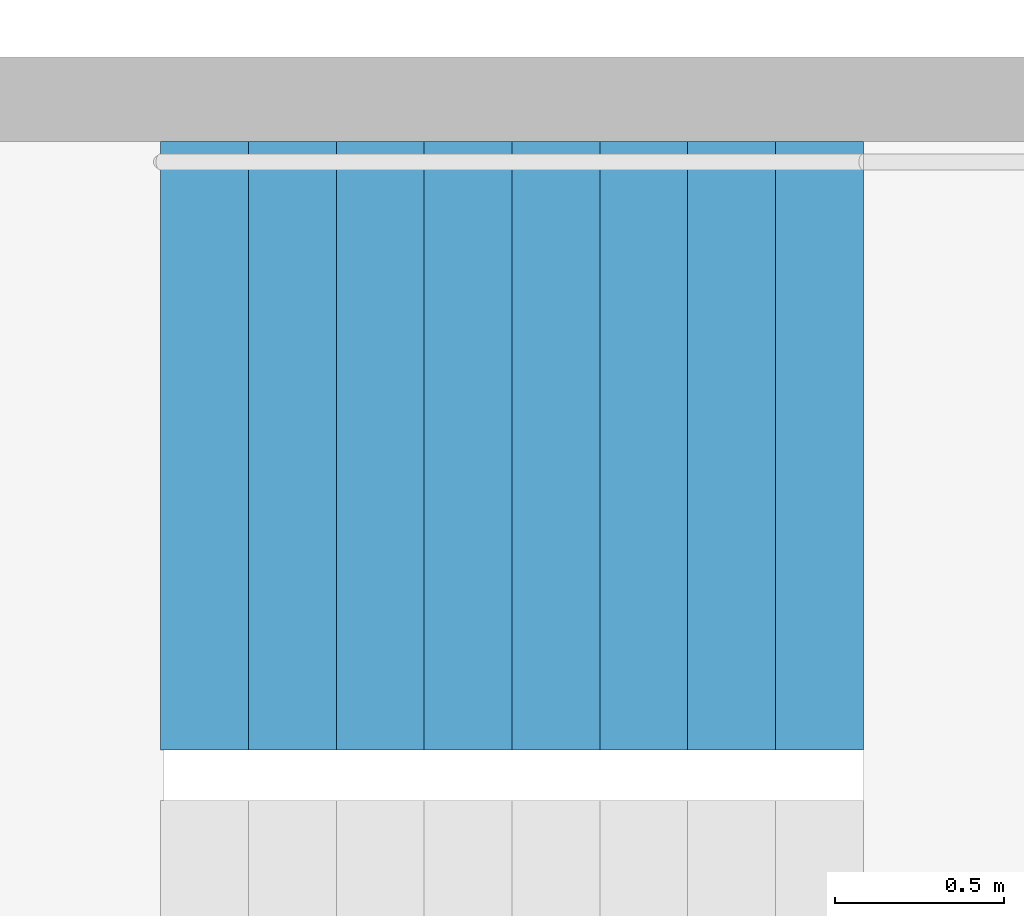
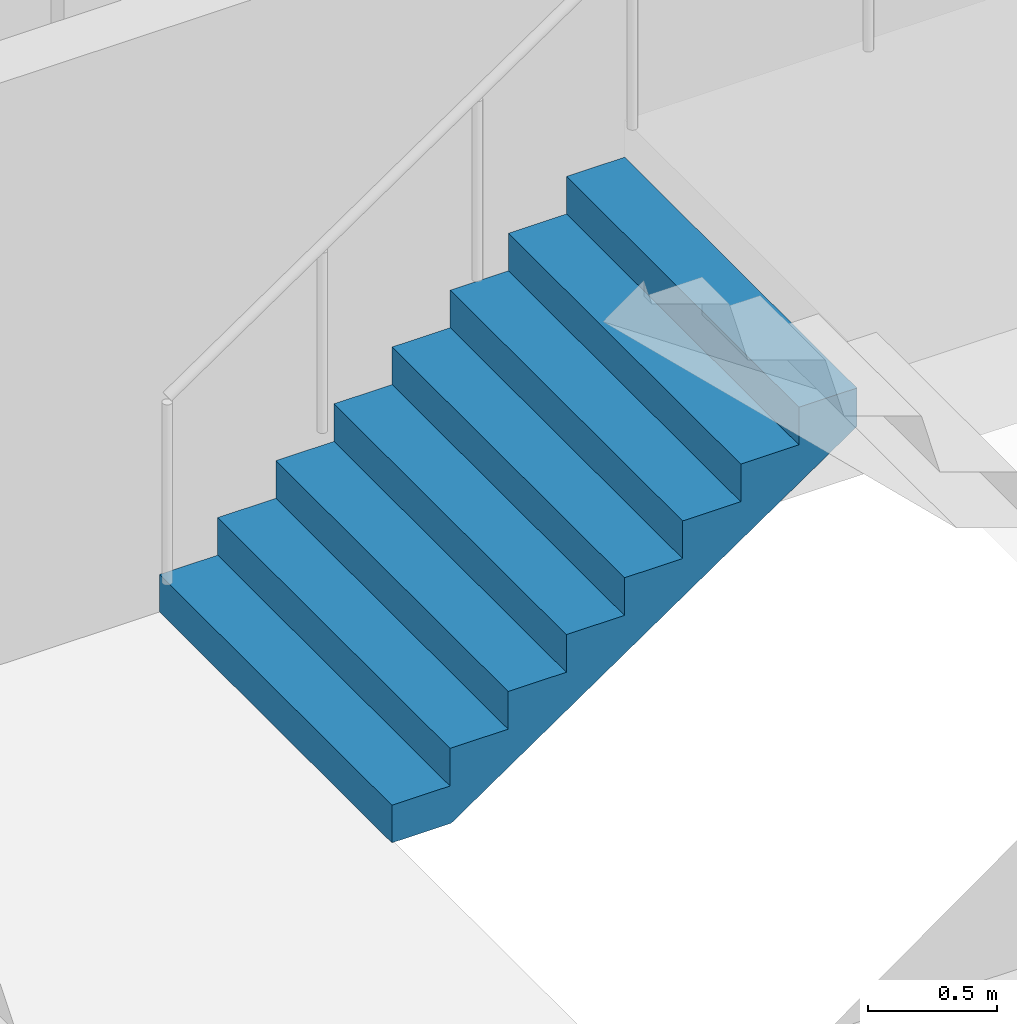
# One storey, part 23 of 26: 1 stair flight, 1 element without a shape of its own.
"""IFC4 building model written with IfcOpenShell, lengths in metres."""

from ifc_helpers import new_model, si_unit, direction, frame, origin, place, context, subcontext, project, spatial, triangles, material, type_object, element, aggregate, save


model = new_model("IFC4")

# Units and contexts
model_context = context("Model", 3, precision=1e-05, world=origin(), true_north=direction((0.0, 1.0)))
body_context = subcontext(model_context, "Body", "Model", "MODEL_VIEW")
ifc_project = project(units=[si_unit("LENGTHUNIT", "METRE"), si_unit("AREAUNIT", "SQUARE_METRE"), si_unit("VOLUMEUNIT", "CUBIC_METRE"), si_unit("PLANEANGLEUNIT", "RADIAN"), si_unit("MASSUNIT", "GRAM", prefix="KILO")], contexts=[model_context])

# Site, building, storey
site_placement = place(None, origin())
site = spatial("IfcSite", under=ifc_project, at=site_placement, CompositionType="ELEMENT")
building_placement = place(site_placement, origin())
building = spatial("IfcBuilding", under=site, at=building_placement, Name="Hakoniwa Tower and Hamabe Station Hall", CompositionType="ELEMENT")
storey_placement = place(building_placement, frame((0.0, 0.0, 199.39990234375)))
storey = spatial("IfcBuildingStorey", under=building, at=storey_placement, Name="L56", CompositionType="ELEMENT", Elevation=199.39990234375)

# Stair, stair flight
ifc_material_1 = material(Name="Concrete C40", Category="concrete")
stair_type = type_object("IfcStairType", Name="ESCAPE STAIR 1800", PredefinedType="HALF_TURN_STAIR", material=ifc_material_1)
stair_placement = place(storey_placement, origin())
stair = element("IfcStair", 1, at=stair_placement, inside=storey, type_object=stair_type, Name="Escape stair ST-4 L56", PredefinedType="HALF_TURN_STAIR")
ifc_material_2 = material(Name="Concrete C40", Category="concrete")
stair_flight_type = type_object("IfcStairFlightType", Name="STAIR FLIGHT 1800", PredefinedType="STRAIGHT", material=ifc_material_2)
stair_flight_placement = place(storey_placement, frame((23.39990234375, -4.64990234375, 0.0), z_axis=(0.0, 0.0, 1.0), x_axis=(1.0, 0.0, 0.0)))
stair_flight = element("IfcStairFlight", 2, at=stair_flight_placement, type_object=stair_flight_type, Name="ST-4 flight 1", NumberOfRisers=9, NumberOfTreads=8, PredefinedType="STRAIGHT", RiserHeight=0.177777778, TreadLength=0.26, context=body_context, shape_type="Tessellation", body=[
    triangles([(0.0, 0.89990234375, 0.0), (0.260009765625, 0.89990234375, 0.0), (0.265625, 0.89990234375, 0.0), (0.52001953125, 0.89990234375, 0.174072265625), (0.780029296875, 0.89990234375, 0.351806640625), (1.0400390625, 0.89990234375, 0.529541015625), (1.300048828125, 0.89990234375, 0.707275390625), (1.56005859375, 0.89990234375, 0.885009765625), (1.820068359375, 0.89990234375, 1.062744140625), (2.080078125, 0.89990234375, 1.24072265625), (2.080078125, 0.89990234375, 1.422119140625), (1.820068359375, 0.89990234375, 1.422119140625), (1.820068359375, 0.89990234375, 1.244384765625), (1.56005859375, 0.89990234375, 1.244384765625), (1.56005859375, 0.89990234375, 1.066650390625), (1.300048828125, 0.89990234375, 1.066650390625), (1.300048828125, 0.89990234375, 0.888916015625), (1.0400390625, 0.89990234375, 0.888916015625), (1.0400390625, 0.89990234375, 0.711181640625), (0.780029296875, 0.89990234375, 0.711181640625), (0.780029296875, 0.89990234375, 0.533447265625), (0.52001953125, 0.89990234375, 0.533447265625), (0.52001953125, 0.89990234375, 0.35546875), (0.265625, 0.89990234375, 0.35546875), (0.260009765625, 0.89990234375, 0.35546875), (0.260009765625, 0.89990234375, 0.177734375), (0.0, 0.89990234375, 0.177734375), (0.0, 0.06005859375, 0.0), (0.260009765625, 0.06005859375, 0.0), (0.265625, 0.06005859375, 0.0), (0.52001953125, 0.06005859375, 0.174072265625), (0.780029296875, 0.06005859375, 0.351806640625), (1.0400390625, 0.06005859375, 0.529541015625), (1.300048828125, 0.06005859375, 0.707275390625), (1.56005859375, 0.06005859375, 0.885009765625), (1.820068359375, 0.06005859375, 1.062744140625), (2.080078125, 0.06005859375, 1.24072265625), (2.080078125, 0.06005859375, 1.422119140625), (1.820068359375, 0.06005859375, 1.422119140625), (1.820068359375, 0.06005859375, 1.244384765625), (1.56005859375, 0.06005859375, 1.244384765625), (1.56005859375, 0.06005859375, 1.066650390625), (1.300048828125, 0.06005859375, 1.066650390625), (1.300048828125, 0.06005859375, 0.888916015625), (1.0400390625, 0.06005859375, 0.888916015625), (1.0400390625, 0.06005859375, 0.711181640625), (0.780029296875, 0.06005859375, 0.711181640625), (0.780029296875, 0.06005859375, 0.533447265625), (0.52001953125, 0.06005859375, 0.533447265625), (0.52001953125, 0.06005859375, 0.35546875), (0.265625, 0.06005859375, 0.35546875), (0.260009765625, 0.06005859375, 0.35546875), (0.260009765625, 0.06005859375, 0.177734375), (0.0, 0.06005859375, 0.177734375), (0.0, 0.04296875, 0.0), (0.260009765625, 0.04296875, 0.0), (0.265625, 0.04296875, 0.0), (0.52001953125, 0.04296875, 0.174072265625), (0.780029296875, 0.04296875, 0.351806640625), (1.0400390625, 0.04296875, 0.529541015625), (1.300048828125, 0.04296875, 0.707275390625), (1.56005859375, 0.04296875, 0.885009765625), (1.820068359375, 0.04296875, 1.062744140625), (2.080078125, 0.04296875, 1.24072265625), (2.080078125, 0.04296875, 1.422119140625), (1.820068359375, 0.04296875, 1.422119140625), (1.820068359375, 0.04296875, 1.244384765625), (1.56005859375, 0.04296875, 1.244384765625), (1.56005859375, 0.04296875, 1.066650390625), (1.300048828125, 0.04296875, 1.066650390625), (1.300048828125, 0.04296875, 0.888916015625), (1.0400390625, 0.04296875, 0.888916015625), (1.0400390625, 0.04296875, 0.711181640625), (0.780029296875, 0.04296875, 0.711181640625), (0.780029296875, 0.04296875, 0.533447265625), (0.52001953125, 0.04296875, 0.533447265625), (0.52001953125, 0.04296875, 0.35546875), (0.265625, 0.04296875, 0.35546875), (0.260009765625, 0.04296875, 0.35546875), (0.260009765625, 0.04296875, 0.177734375), (0.0, 0.04296875, 0.177734375), (0.0, 0.025634765625, 0.0), (0.260009765625, 0.025634765625, 0.0), (0.265625, 0.025634765625, 0.0), (0.52001953125, 0.025634765625, 0.174072265625), (0.780029296875, 0.025634765625, 0.351806640625), (1.0400390625, 0.025634765625, 0.529541015625), (1.300048828125, 0.025634765625, 0.707275390625), (1.56005859375, 0.025634765625, 0.885009765625), (1.820068359375, 0.025634765625, 1.062744140625), (2.080078125, 0.025634765625, 1.24072265625), (2.080078125, 0.025634765625, 1.422119140625), (1.820068359375, 0.025634765625, 1.422119140625), (1.820068359375, 0.025634765625, 1.244384765625), (1.56005859375, 0.025634765625, 1.244384765625), (1.56005859375, 0.025634765625, 1.066650390625), (1.300048828125, 0.025634765625, 1.066650390625), (1.300048828125, 0.025634765625, 0.888916015625), (1.0400390625, 0.025634765625, 0.888916015625), (1.0400390625, 0.025634765625, 0.711181640625), (0.780029296875, 0.025634765625, 0.711181640625), (0.780029296875, 0.025634765625, 0.533447265625), (0.52001953125, 0.025634765625, 0.533447265625), (0.52001953125, 0.025634765625, 0.35546875), (0.265625, 0.025634765625, 0.35546875), (0.260009765625, 0.025634765625, 0.35546875), (0.260009765625, 0.025634765625, 0.177734375), (0.0, 0.025634765625, 0.177734375), (0.0, 0.008544921875, 0.0), (0.260009765625, 0.008544921875, 0.0), (0.265625, 0.008544921875, 0.0), (0.52001953125, 0.008544921875, 0.174072265625), (0.780029296875, 0.008544921875, 0.351806640625), (1.0400390625, 0.008544921875, 0.529541015625), (1.300048828125, 0.008544921875, 0.707275390625), (1.56005859375, 0.008544921875, 0.885009765625), (1.820068359375, 0.008544921875, 1.062744140625), (2.080078125, 0.008544921875, 1.24072265625), (2.080078125, 0.008544921875, 1.422119140625), (1.820068359375, 0.008544921875, 1.422119140625), (1.820068359375, 0.008544921875, 1.244384765625), (1.56005859375, 0.008544921875, 1.244384765625), (1.56005859375, 0.008544921875, 1.066650390625), (1.300048828125, 0.008544921875, 1.066650390625), (1.300048828125, 0.008544921875, 0.888916015625), (1.0400390625, 0.008544921875, 0.888916015625), (1.0400390625, 0.008544921875, 0.711181640625), (0.780029296875, 0.008544921875, 0.711181640625), (0.780029296875, 0.008544921875, 0.533447265625), (0.52001953125, 0.008544921875, 0.533447265625), (0.52001953125, 0.008544921875, 0.35546875), (0.265625, 0.008544921875, 0.35546875), (0.260009765625, 0.008544921875, 0.35546875), (0.260009765625, 0.008544921875, 0.177734375), (0.0, 0.008544921875, 0.177734375), (0.0, -0.008544921875, 0.0), (0.260009765625, -0.008544921875, 0.0), (0.265625, -0.008544921875, 0.0), (0.52001953125, -0.008544921875, 0.174072265625), (0.780029296875, -0.008544921875, 0.351806640625), (1.0400390625, -0.008544921875, 0.529541015625), (1.300048828125, -0.008544921875, 0.707275390625), (1.56005859375, -0.008544921875, 0.885009765625), (1.820068359375, -0.008544921875, 1.062744140625), (2.080078125, -0.008544921875, 1.24072265625), (2.080078125, -0.008544921875, 1.422119140625), (1.820068359375, -0.008544921875, 1.422119140625), (1.820068359375, -0.008544921875, 1.244384765625), (1.56005859375, -0.008544921875, 1.244384765625), (1.56005859375, -0.008544921875, 1.066650390625), (1.300048828125, -0.008544921875, 1.066650390625), (1.300048828125, -0.008544921875, 0.888916015625), (1.0400390625, -0.008544921875, 0.888916015625), (1.0400390625, -0.008544921875, 0.711181640625), (0.780029296875, -0.008544921875, 0.711181640625), (0.780029296875, -0.008544921875, 0.533447265625), (0.52001953125, -0.008544921875, 0.533447265625), (0.52001953125, -0.008544921875, 0.35546875), (0.265625, -0.008544921875, 0.35546875), (0.260009765625, -0.008544921875, 0.35546875), (0.260009765625, -0.008544921875, 0.177734375), (0.0, -0.008544921875, 0.177734375), (0.0, -0.025634765625, 0.0), (0.260009765625, -0.025634765625, 0.0), (0.265625, -0.025634765625, 0.0), (0.52001953125, -0.025634765625, 0.174072265625), (0.780029296875, -0.025634765625, 0.351806640625), (1.0400390625, -0.025634765625, 0.529541015625), (1.300048828125, -0.025634765625, 0.707275390625), (1.56005859375, -0.025634765625, 0.885009765625), (1.820068359375, -0.025634765625, 1.062744140625), (2.080078125, -0.025634765625, 1.24072265625), (2.080078125, -0.025634765625, 1.422119140625), (1.820068359375, -0.025634765625, 1.422119140625), (1.820068359375, -0.025634765625, 1.244384765625), (1.56005859375, -0.025634765625, 1.244384765625), (1.56005859375, -0.025634765625, 1.066650390625), (1.300048828125, -0.025634765625, 1.066650390625), (1.300048828125, -0.025634765625, 0.888916015625), (1.0400390625, -0.025634765625, 0.888916015625), (1.0400390625, -0.025634765625, 0.711181640625), (0.780029296875, -0.025634765625, 0.711181640625), (0.780029296875, -0.025634765625, 0.533447265625), (0.52001953125, -0.025634765625, 0.533447265625), (0.52001953125, -0.025634765625, 0.35546875), (0.265625, -0.025634765625, 0.35546875), (0.260009765625, -0.025634765625, 0.35546875), (0.260009765625, -0.025634765625, 0.177734375), (0.0, -0.025634765625, 0.177734375), (0.0, -0.04296875, 0.0), (0.260009765625, -0.04296875, 0.0), (0.265625, -0.04296875, 0.0), (0.52001953125, -0.04296875, 0.174072265625), (0.780029296875, -0.04296875, 0.351806640625), (1.0400390625, -0.04296875, 0.529541015625), (1.300048828125, -0.04296875, 0.707275390625), (1.56005859375, -0.04296875, 0.885009765625), (1.820068359375, -0.04296875, 1.062744140625), (2.080078125, -0.04296875, 1.24072265625), (2.080078125, -0.04296875, 1.422119140625), (1.820068359375, -0.04296875, 1.422119140625), (1.820068359375, -0.04296875, 1.244384765625), (1.56005859375, -0.04296875, 1.244384765625), (1.56005859375, -0.04296875, 1.066650390625), (1.300048828125, -0.04296875, 1.066650390625), (1.300048828125, -0.04296875, 0.888916015625), (1.0400390625, -0.04296875, 0.888916015625), (1.0400390625, -0.04296875, 0.711181640625), (0.780029296875, -0.04296875, 0.711181640625), (0.780029296875, -0.04296875, 0.533447265625), (0.52001953125, -0.04296875, 0.533447265625), (0.52001953125, -0.04296875, 0.35546875), (0.265625, -0.04296875, 0.35546875), (0.260009765625, -0.04296875, 0.35546875), (0.260009765625, -0.04296875, 0.177734375), (0.0, -0.04296875, 0.177734375), (0.0, -0.06005859375, 0.0), (0.260009765625, -0.06005859375, 0.0), (0.265625, -0.06005859375, 0.0), (0.52001953125, -0.06005859375, 0.174072265625), (0.780029296875, -0.06005859375, 0.351806640625), (1.0400390625, -0.06005859375, 0.529541015625), (1.300048828125, -0.06005859375, 0.707275390625), (1.56005859375, -0.06005859375, 0.885009765625), (1.820068359375, -0.06005859375, 1.062744140625), (2.080078125, -0.06005859375, 1.24072265625), (2.080078125, -0.06005859375, 1.422119140625), (1.820068359375, -0.06005859375, 1.422119140625), (1.820068359375, -0.06005859375, 1.244384765625), (1.56005859375, -0.06005859375, 1.244384765625), (1.56005859375, -0.06005859375, 1.066650390625), (1.300048828125, -0.06005859375, 1.066650390625), (1.300048828125, -0.06005859375, 0.888916015625), (1.0400390625, -0.06005859375, 0.888916015625), (1.0400390625, -0.06005859375, 0.711181640625), (0.780029296875, -0.06005859375, 0.711181640625), (0.780029296875, -0.06005859375, 0.533447265625), (0.52001953125, -0.06005859375, 0.533447265625), (0.52001953125, -0.06005859375, 0.35546875), (0.265625, -0.06005859375, 0.35546875), (0.260009765625, -0.06005859375, 0.35546875), (0.260009765625, -0.06005859375, 0.177734375), (0.0, -0.06005859375, 0.177734375), (0.0, -0.89990234375, 0.0), (0.260009765625, -0.89990234375, 0.0), (0.265625, -0.89990234375, 0.0), (0.52001953125, -0.89990234375, 0.174072265625), (0.780029296875, -0.89990234375, 0.351806640625), (1.0400390625, -0.89990234375, 0.529541015625), (1.300048828125, -0.89990234375, 0.707275390625), (1.56005859375, -0.89990234375, 0.885009765625), (1.820068359375, -0.89990234375, 1.062744140625), (2.080078125, -0.89990234375, 1.24072265625), (2.080078125, -0.89990234375, 1.422119140625), (1.820068359375, -0.89990234375, 1.422119140625), (1.820068359375, -0.89990234375, 1.244384765625), (1.56005859375, -0.89990234375, 1.244384765625), (1.56005859375, -0.89990234375, 1.066650390625), (1.300048828125, -0.89990234375, 1.066650390625), (1.300048828125, -0.89990234375, 0.888916015625), (1.0400390625, -0.89990234375, 0.888916015625), (1.0400390625, -0.89990234375, 0.711181640625), (0.780029296875, -0.89990234375, 0.711181640625), (0.780029296875, -0.89990234375, 0.533447265625), (0.52001953125, -0.89990234375, 0.533447265625), (0.52001953125, -0.89990234375, 0.35546875), (0.265625, -0.89990234375, 0.35546875), (0.260009765625, -0.89990234375, 0.35546875), (0.260009765625, -0.89990234375, 0.177734375), (0.0, -0.89990234375, 0.177734375)], [[2, 27, 26], [245, 269, 270], [2, 1, 27], [245, 270, 244], [3, 25, 24], [246, 267, 268], [3, 26, 25], [246, 268, 269], [3, 2, 26], [246, 269, 245], [4, 24, 23], [247, 266, 267], [4, 3, 24], [247, 267, 246], [5, 22, 21], [248, 264, 265], [5, 23, 22], [248, 265, 266], [5, 4, 23], [248, 266, 247], [6, 20, 19], [249, 262, 263], [6, 21, 20], [249, 263, 264], [6, 5, 21], [249, 264, 248], [7, 18, 17], [250, 260, 261], [7, 19, 18], [250, 261, 262], [7, 6, 19], [250, 262, 249], [8, 16, 15], [251, 258, 259], [8, 17, 16], [251, 259, 260], [8, 7, 17], [251, 260, 250], [9, 14, 13], [252, 256, 257], [9, 15, 14], [252, 257, 258], [9, 8, 15], [252, 258, 251], [10, 12, 11], [253, 254, 255], [10, 13, 12], [253, 255, 256], [10, 9, 13], [253, 256, 252], [1, 2, 29], [1, 29, 28], [28, 29, 56], [28, 56, 55], [55, 56, 83], [55, 83, 82], [82, 83, 110], [82, 110, 109], [109, 110, 137], [109, 137, 136], [136, 137, 164], [136, 164, 163], [163, 164, 191], [163, 191, 190], [190, 191, 218], [190, 218, 217], [217, 218, 245], [217, 245, 244], [2, 3, 30], [2, 30, 29], [29, 30, 57], [29, 57, 56], [56, 57, 84], [56, 84, 83], [83, 84, 111], [83, 111, 110], [110, 111, 138], [110, 138, 137], [137, 138, 165], [137, 165, 164], [164, 165, 192], [164, 192, 191], [191, 192, 219], [191, 219, 218], [218, 219, 246], [218, 246, 245], [3, 4, 31], [3, 31, 30], [30, 31, 58], [30, 58, 57], [57, 58, 85], [57, 85, 84], [84, 85, 112], [84, 112, 111], [111, 112, 139], [111, 139, 138], [138, 139, 166], [138, 166, 165], [165, 166, 193], [165, 193, 192], [192, 193, 220], [192, 220, 219], [219, 220, 247], [219, 247, 246], [4, 5, 32], [4, 32, 31], [31, 32, 59], [31, 59, 58], [58, 59, 86], [58, 86, 85], [85, 86, 113], [85, 113, 112], [112, 113, 140], [112, 140, 139], [139, 140, 167], [139, 167, 166], [166, 167, 194], [166, 194, 193], [193, 194, 221], [193, 221, 220], [220, 221, 248], [220, 248, 247], [5, 6, 33], [5, 33, 32], [32, 33, 60], [32, 60, 59], [59, 60, 87], [59, 87, 86], [86, 87, 114], [86, 114, 113], [113, 114, 141], [113, 141, 140], [140, 141, 168], [140, 168, 167], [167, 168, 195], [167, 195, 194], [194, 195, 222], [194, 222, 221], [221, 222, 249], [221, 249, 248], [6, 7, 34], [6, 34, 33], [33, 34, 61], [33, 61, 60], [60, 61, 88], [60, 88, 87], [87, 88, 115], [87, 115, 114], [114, 115, 142], [114, 142, 141], [141, 142, 169], [141, 169, 168], [168, 169, 196], [168, 196, 195], [195, 196, 223], [195, 223, 222], [222, 223, 250], [222, 250, 249], [7, 8, 35], [7, 35, 34], [34, 35, 62], [34, 62, 61], [61, 62, 89], [61, 89, 88], [88, 89, 116], [88, 116, 115], [115, 116, 143], [115, 143, 142], [142, 143, 170], [142, 170, 169], [169, 170, 197], [169, 197, 196], [196, 197, 224], [196, 224, 223], [223, 224, 251], [223, 251, 250], [8, 9, 36], [8, 36, 35], [35, 36, 63], [35, 63, 62], [62, 63, 90], [62, 90, 89], [89, 90, 117], [89, 117, 116], [116, 117, 144], [116, 144, 143], [143, 144, 171], [143, 171, 170], [170, 171, 198], [170, 198, 197], [197, 198, 225], [197, 225, 224], [224, 225, 252], [224, 252, 251], [9, 10, 37], [9, 37, 36], [36, 37, 64], [36, 64, 63], [63, 64, 91], [63, 91, 90], [90, 91, 118], [90, 118, 117], [117, 118, 145], [117, 145, 144], [144, 145, 172], [144, 172, 171], [171, 172, 199], [171, 199, 198], [198, 199, 226], [198, 226, 225], [225, 226, 253], [225, 253, 252], [10, 11, 38], [10, 38, 37], [37, 38, 65], [37, 65, 64], [64, 65, 92], [64, 92, 91], [91, 92, 119], [91, 119, 118], [118, 119, 146], [118, 146, 145], [145, 146, 173], [145, 173, 172], [172, 173, 200], [172, 200, 199], [199, 200, 227], [199, 227, 226], [226, 227, 254], [226, 254, 253], [11, 12, 39], [11, 39, 38], [38, 39, 66], [38, 66, 65], [65, 66, 93], [65, 93, 92], [92, 93, 120], [92, 120, 119], [119, 120, 147], [119, 147, 146], [146, 147, 174], [146, 174, 173], [173, 174, 201], [173, 201, 200], [200, 201, 228], [200, 228, 227], [227, 228, 255], [227, 255, 254], [12, 13, 40], [12, 40, 39], [39, 40, 67], [39, 67, 66], [66, 67, 94], [66, 94, 93], [93, 94, 121], [93, 121, 120], [120, 121, 148], [120, 148, 147], [147, 148, 175], [147, 175, 174], [174, 175, 202], [174, 202, 201], [201, 202, 229], [201, 229, 228], [228, 229, 256], [228, 256, 255], [13, 14, 41], [13, 41, 40], [40, 41, 68], [40, 68, 67], [67, 68, 95], [67, 95, 94], [94, 95, 122], [94, 122, 121], [121, 122, 149], [121, 149, 148], [148, 149, 176], [148, 176, 175], [175, 176, 203], [175, 203, 202], [202, 203, 230], [202, 230, 229], [229, 230, 257], [229, 257, 256], [14, 15, 42], [14, 42, 41], [41, 42, 69], [41, 69, 68], [68, 69, 96], [68, 96, 95], [95, 96, 123], [95, 123, 122], [122, 123, 150], [122, 150, 149], [149, 150, 177], [149, 177, 176], [176, 177, 204], [176, 204, 203], [203, 204, 231], [203, 231, 230], [230, 231, 258], [230, 258, 257], [15, 16, 43], [15, 43, 42], [42, 43, 70], [42, 70, 69], [69, 70, 97], [69, 97, 96], [96, 97, 124], [96, 124, 123], [123, 124, 151], [123, 151, 150], [150, 151, 178], [150, 178, 177], [177, 178, 205], [177, 205, 204], [204, 205, 232], [204, 232, 231], [231, 232, 259], [231, 259, 258], [16, 17, 44], [16, 44, 43], [43, 44, 71], [43, 71, 70], [70, 71, 98], [70, 98, 97], [97, 98, 125], [97, 125, 124], [124, 125, 152], [124, 152, 151], [151, 152, 179], [151, 179, 178], [178, 179, 206], [178, 206, 205], [205, 206, 233], [205, 233, 232], [232, 233, 260], [232, 260, 259], [17, 18, 45], [17, 45, 44], [44, 45, 72], [44, 72, 71], [71, 72, 99], [71, 99, 98], [98, 99, 126], [98, 126, 125], [125, 126, 153], [125, 153, 152], [152, 153, 180], [152, 180, 179], [179, 180, 207], [179, 207, 206], [206, 207, 234], [206, 234, 233], [233, 234, 261], [233, 261, 260], [18, 19, 46], [18, 46, 45], [45, 46, 73], [45, 73, 72], [72, 73, 100], [72, 100, 99], [99, 100, 127], [99, 127, 126], [126, 127, 154], [126, 154, 153], [153, 154, 181], [153, 181, 180], [180, 181, 208], [180, 208, 207], [207, 208, 235], [207, 235, 234], [234, 235, 262], [234, 262, 261], [19, 20, 47], [19, 47, 46], [46, 47, 74], [46, 74, 73], [73, 74, 101], [73, 101, 100], [100, 101, 128], [100, 128, 127], [127, 128, 155], [127, 155, 154], [154, 155, 182], [154, 182, 181], [181, 182, 209], [181, 209, 208], [208, 209, 236], [208, 236, 235], [235, 236, 263], [235, 263, 262], [20, 21, 48], [20, 48, 47], [47, 48, 75], [47, 75, 74], [74, 75, 102], [74, 102, 101], [101, 102, 129], [101, 129, 128], [128, 129, 156], [128, 156, 155], [155, 156, 183], [155, 183, 182], [182, 183, 210], [182, 210, 209], [209, 210, 237], [209, 237, 236], [236, 237, 264], [236, 264, 263], [21, 22, 49], [21, 49, 48], [48, 49, 76], [48, 76, 75], [75, 76, 103], [75, 103, 102], [102, 103, 130], [102, 130, 129], [129, 130, 157], [129, 157, 156], [156, 157, 184], [156, 184, 183], [183, 184, 211], [183, 211, 210], [210, 211, 238], [210, 238, 237], [237, 238, 265], [237, 265, 264], [22, 23, 50], [22, 50, 49], [49, 50, 77], [49, 77, 76], [76, 77, 104], [76, 104, 103], [103, 104, 131], [103, 131, 130], [130, 131, 158], [130, 158, 157], [157, 158, 185], [157, 185, 184], [184, 185, 212], [184, 212, 211], [211, 212, 239], [211, 239, 238], [238, 239, 266], [238, 266, 265], [23, 24, 51], [23, 51, 50], [50, 51, 78], [50, 78, 77], [77, 78, 105], [77, 105, 104], [104, 105, 132], [104, 132, 131], [131, 132, 159], [131, 159, 158], [158, 159, 186], [158, 186, 185], [185, 186, 213], [185, 213, 212], [212, 213, 240], [212, 240, 239], [239, 240, 267], [239, 267, 266], [24, 25, 52], [24, 52, 51], [51, 52, 79], [51, 79, 78], [78, 79, 106], [78, 106, 105], [105, 106, 133], [105, 133, 132], [132, 133, 160], [132, 160, 159], [159, 160, 187], [159, 187, 186], [186, 187, 214], [186, 214, 213], [213, 214, 241], [213, 241, 240], [240, 241, 268], [240, 268, 267], [25, 26, 53], [25, 53, 52], [52, 53, 80], [52, 80, 79], [79, 80, 107], [79, 107, 106], [106, 107, 134], [106, 134, 133], [133, 134, 161], [133, 161, 160], [160, 161, 188], [160, 188, 187], [187, 188, 215], [187, 215, 214], [214, 215, 242], [214, 242, 241], [241, 242, 269], [241, 269, 268], [26, 27, 54], [26, 54, 53], [53, 54, 81], [53, 81, 80], [80, 81, 108], [80, 108, 107], [107, 108, 135], [107, 135, 134], [134, 135, 162], [134, 162, 161], [161, 162, 189], [161, 189, 188], [188, 189, 216], [188, 216, 215], [215, 216, 243], [215, 243, 242], [242, 243, 270], [242, 270, 269], [27, 1, 28], [27, 28, 54], [54, 28, 55], [54, 55, 81], [81, 55, 82], [81, 82, 108], [108, 82, 109], [108, 109, 135], [135, 109, 136], [135, 136, 162], [162, 136, 163], [162, 163, 189], [189, 163, 190], [189, 190, 216], [216, 190, 217], [216, 217, 243], [243, 217, 244], [243, 244, 270]], closed=True),
])
aggregate(stair, [stair_flight])

save(model, "model.ifc")
